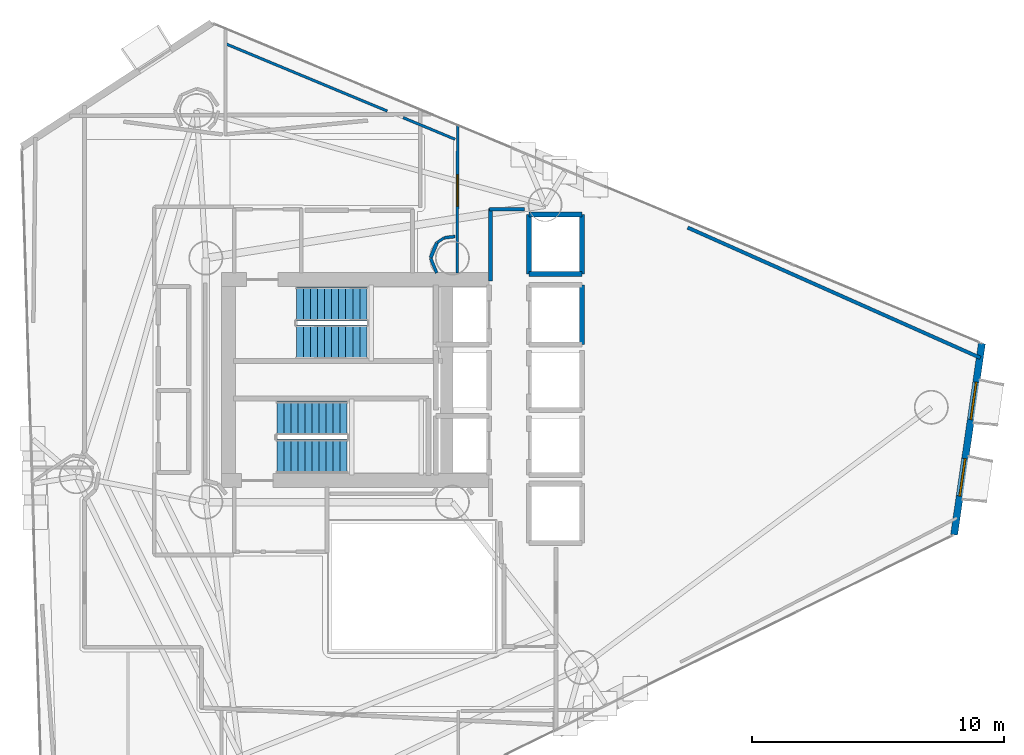
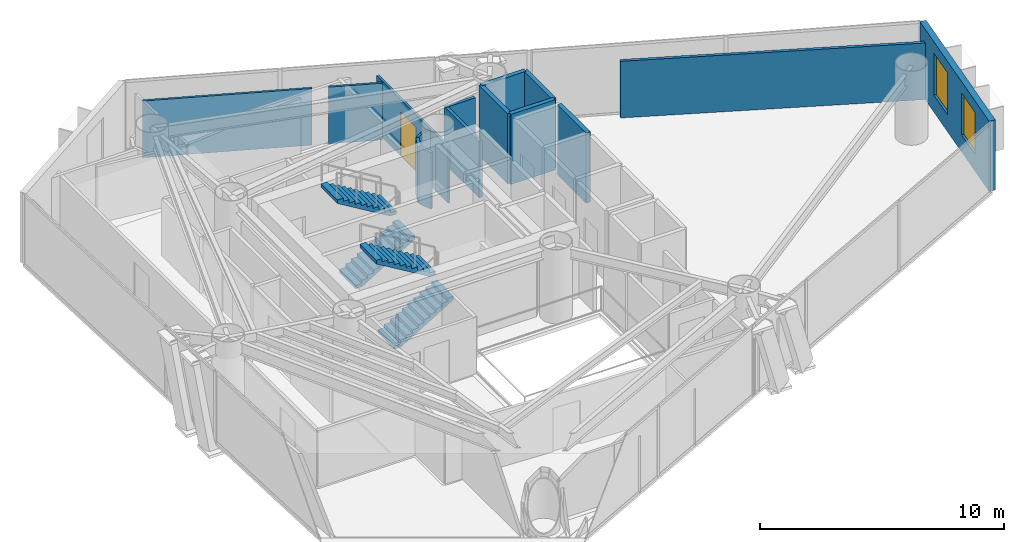
# One storey, part 20 of 22: 16 walls, 4 stair flights, 2 windows, 1 door, 3 openings, 2 elements without a shape of their own.
"""IFC4 building model written with IfcOpenShell, lengths in metres."""

from ifc_helpers import new_model, si_unit, direction, frame, frame_2d, origin, place, context, subcontext, project, spatial, polyline, rectangle, outline, extrude, material, layer, layer_set, type_object, element, fill, aggregate, save


model = new_model("IFC4")

# Units and contexts
model_context = context("Model", 3, precision=1e-05, world=origin(), true_north=direction((0.0, 1.0)))
body_context = subcontext(model_context, "Body", "Model", "MODEL_VIEW")
ifc_project = project(units=[si_unit("LENGTHUNIT", "METRE"), si_unit("AREAUNIT", "SQUARE_METRE"), si_unit("VOLUMEUNIT", "CUBIC_METRE"), si_unit("PLANEANGLEUNIT", "RADIAN"), si_unit("MASSUNIT", "GRAM", prefix="KILO")], contexts=[model_context])

# Site, building, storey
site_placement = place(None, origin())
site = spatial("IfcSite", under=ifc_project, at=site_placement, CompositionType="ELEMENT")
building_placement = place(site_placement, origin())
building = spatial("IfcBuilding", under=site, at=building_placement, Name="Qianvela Tower", CompositionType="ELEMENT")
storey_placement = place(building_placement, frame((0.0, 0.0, 158.699951171875)))
storey = spatial("IfcBuildingStorey", under=building, at=storey_placement, Name="L40", CompositionType="ELEMENT", Elevation=158.699951171875)

# Wall, openings, windows
ifc_material_1 = material(Name="Terracotta Cladding on Concrete C40", Category="masonry")
ifc_layer_1 = layer(ifc_material_1, 0.280029296875)
ifc_layer_set_1 = layer_set([ifc_layer_1], Name="Terracotta Cladding on Concrete C40")
wall_type_1 = type_object("IfcWallType", Name="TERRACOTTA-WALL-280", PredefinedType="SOLIDWALL", material=ifc_layer_set_1)
wall_1_placement = place(storey_placement, frame((58.3408203125, 22.55419921875, 0.0), z_axis=(0.0, 0.0, 1.0), x_axis=(0.143708360634, 0.989620082195, 0.0)))
wall_1 = element("IfcWall", 1, at=wall_1_placement, inside=storey, type_object=wall_type_1, Name="L40 Terracotta Chamfer Facet Wall 1", PredefinedType="SOLIDWALL", context=body_context, shape_type="SweptSolid", body=[
    extrude(rectangle(XDim=7.6806640625, YDim=0.280029296875, at=frame_2d((3.84033203125, 0.0))), origin(), (0.0, 0.0, 1.0), 3.52001953125),
])
opening_1_placement = place(wall_1_placement, frame((1.55419921875, 0.0, 0.85009765625)))
opening_1 = element("IfcOpeningElement", 2, at=opening_1_placement, cuts=wall_1, Name="Opening W-02", PredefinedType="OPENING", context=body_context, shape_type="SweptSolid", body=[
    extrude(rectangle(XDim=1.5, YDim=2.10009765625, at=frame_2d((0.75, 1.050048828125))), frame((0.0, 0.14990234375, 0.0), z_axis=(0.0, -1.0, 0.0), x_axis=(1.0, 0.0, 0.0)), (0.0, 0.0, 1.0), 0.300048828125),
])
opening_2_placement = place(wall_1_placement, frame((4.626220703125, 0.0, 0.85009765625)))
opening_2 = element("IfcOpeningElement", 3, at=opening_2_placement, cuts=wall_1, Name="Opening W-02", PredefinedType="OPENING", context=body_context, shape_type="SweptSolid", body=[
    extrude(rectangle(XDim=1.5, YDim=2.10009765625, at=frame_2d((0.75, 1.050048828125))), frame((0.0, 0.14990234375, 0.0), z_axis=(0.0, -1.0, 0.0), x_axis=(1.0, 0.0, 0.0)), (0.0, 0.0, 1.0), 0.300048828125),
])
ifc_material_2 = material(Name="Thermally Broken Aluminium and Low-E Glass", Category="aluminium")
window_type = type_object("IfcWindowType", Name="WIN-TC-1500x2100", PartitioningType="DOUBLE_PANEL_VERTICAL", PredefinedType="WINDOW", material=ifc_material_2)
window_1_placement = place(opening_1_placement, origin())
window_1 = element("IfcWindow", 4, at=window_1_placement, inside=storey, type_object=window_type, Name="L40 Chamfer Facet Window 1.1", OverallHeight=2.10009765625, OverallWidth=1.5, PartitioningType="SINGLE_PANEL", PredefinedType="WINDOW", context=body_context, shape_type="SweptSolid", body=[
    extrude(rectangle(XDim=1.5, YDim=2.10009765625, at=frame_2d((0.75, 1.050048828125))), frame((0.0, 0.030029296875, 0.0), z_axis=(0.0, -1.0, 0.0), x_axis=(1.0, 0.0, 0.0)), (0.0, 0.0, 1.0), 0.06005859375),
])
fill(opening_1, window_1)
window_2_placement = place(opening_2_placement, origin())
window_2 = element("IfcWindow", 5, at=window_2_placement, inside=storey, type_object=window_type, Name="L40 Chamfer Facet Window 1.2", OverallHeight=2.10009765625, OverallWidth=1.5, PartitioningType="SINGLE_PANEL", PredefinedType="WINDOW", context=body_context, shape_type="SweptSolid", body=[
    extrude(rectangle(XDim=1.5, YDim=2.10009765625, at=frame_2d((0.75, 1.050048828125))), frame((0.0, 0.030029296875, 0.0), z_axis=(0.0, -1.0, 0.0), x_axis=(1.0, 0.0, 0.0)), (0.0, 0.0, 1.0), 0.06005859375),
])
fill(opening_2, window_2)

# Walls
ifc_material_3 = material(Name="Fire-Rated Acoustic Gypsum Board")
ifc_layer_2 = layer(ifc_material_3, 0.14990234375)
ifc_layer_set_2 = layer_set([ifc_layer_2], Name="Fire-Rated Acoustic Gypsum Board")
wall_type_2 = type_object("IfcWallType", Name="WT-CORR-150", PredefinedType="PARTITIONING", material=ifc_layer_set_2)
wall_2_placement = place(storey_placement, frame((39.910888671875, 32.639892578125, 0.0), z_axis=(0.0, 0.0, 1.0), x_axis=(0.0, 1.0, 0.0)))
element("IfcWall", 6, at=wall_2_placement, inside=storey, type_object=wall_type_2, Name="L40 Partition 12", PredefinedType="PARTITIONING", context=body_context, shape_type="SweptSolid", body=[
    extrude(rectangle(XDim=2.880126953125, YDim=0.14990234375, at=frame_2d((1.43994140625, 0.0))), origin(), (0.0, 0.0, 1.0), 2.840087890625),
])
wall_3_placement = place(storey_placement, frame((39.8798828125, 35.489013671875, 0.0), z_axis=(0.0, 0.0, 1.0), x_axis=(1.0, 0.0, 0.0)))
element("IfcWall", 7, at=wall_3_placement, inside=storey, type_object=wall_type_2, Name="L40 Partition 13", PredefinedType="PARTITIONING", context=body_context, shape_type="SweptSolid", body=[
    extrude(rectangle(XDim=1.3828125, YDim=0.14990234375, at=frame_2d((0.69140625, 0.0))), origin(), (0.0, 0.0, 1.0), 2.840087890625),
])

# Wall, opening, door
ifc_material_4 = material(Name="Lightweight Gypsum Room Partition")
ifc_layer_3 = layer(ifc_material_4, 0.10498046875)
ifc_layer_set_3 = layer_set([ifc_layer_3], Name="Lightweight Gypsum Room Partition")
wall_type_3 = type_object("IfcWallType", Name="WT-PART-105", PredefinedType="PARTITIONING", material=ifc_layer_set_3)
wall_4_placement = place(storey_placement, frame((38.59375, 32.9580078125, 0.0), z_axis=(0.0, 0.0, 1.0), x_axis=(0.002446602671, 0.999997007063, 0.0)))
wall_4 = element("IfcWall", 8, at=wall_4_placement, inside=storey, type_object=wall_type_3, Name="L40 Partition 94", PredefinedType="PARTITIONING", context=body_context, shape_type="SweptSolid", body=[
    extrude(rectangle(XDim=5.887451171875, YDim=0.10498046875, at=frame_2d((2.94384765625, 0.0))), origin(), (0.0, 0.0, 1.0), 2.840087890625),
])
opening_3_placement = place(wall_4_placement, frame((2.65478515625, 0.0, 0.0)))
opening_3 = element("IfcOpeningElement", 9, at=opening_3_placement, cuts=wall_4, Name="Opening D-LG1", PredefinedType="OPENING", context=body_context, shape_type="SweptSolid", body=[
    extrude(rectangle(XDim=1.25, YDim=2.199951171875, at=frame_2d((0.625, 1.10009765625))), frame((0.0, 0.0625, 0.0), z_axis=(0.0, -1.0, 0.0), x_axis=(1.0, 0.0, 0.0)), (0.0, 0.0, 1.0), 0.125),
])
ifc_material_5 = material(Name="Anodised Aluminium Acoustic Glass Door", Category="aluminium")
door_type = type_object("IfcDoorType", Name="DT-LOUNGE-1250", OperationType="NOTDEFINED", PredefinedType="DOOR", material=ifc_material_5)
door_placement = place(opening_3_placement, origin())
door = element("IfcDoor", 10, at=door_placement, inside=storey, type_object=door_type, Name="L40 Door Quiet Reading Study L40-04 to Media Practice Cinema L40-03", OperationType="SINGLE_SWING_LEFT", OverallHeight=2.199951171875, OverallWidth=1.25, PredefinedType="DOOR", context=body_context, shape_type="SweptSolid", body=[
    extrude(rectangle(XDim=1.25, YDim=2.199951171875, at=frame_2d((0.625, 1.10009765625))), frame((0.0, 0.02490234375, 0.0), z_axis=(0.0, -1.0, 0.0), x_axis=(1.0, 0.0, 0.0)), (0.0, 0.0, 1.0), 0.050048828125),
])
fill(opening_3, door)

# Walls
wall_5_placement = place(storey_placement, frame((29.330078125, 42.08935546875, 0.0), z_axis=(0.0, 0.0, 1.0), x_axis=(0.923257907731, -0.384180733265, 0.0)))
element("IfcWall", 11, at=wall_5_placement, inside=storey, type_object=wall_type_3, Name="L40 Partition 112", PredefinedType="PARTITIONING", context=body_context, shape_type="SweptSolid", body=[
    extrude(rectangle(XDim=7.020263671875, YDim=0.10498046875, at=frame_2d((3.51025390625, 0.0))), origin(), (0.0, 0.0, 1.0), 2.840087890625),
])
wall_6_placement = place(storey_placement, frame((38.063232421875, 34.34716796875, 0.0), z_axis=(0.0, 0.0, 1.0), x_axis=(-0.83170430964, -0.555218822922, 0.0)))
element("IfcWall", 12, at=wall_6_placement, inside=storey, type_object=wall_type_3, Name="L40 Partition 115", PredefinedType="PARTITIONING", context=body_context, shape_type="SweptSolid", body=[
    extrude(rectangle(XDim=0.325927734375, YDim=0.10498046875, at=frame_2d((0.1630859375, 0.0))), origin(), (0.0, 0.0, 1.0), 2.840087890625),
])
wall_7_placement = place(storey_placement, frame((36.44140625, 39.13037109375, 0.0), z_axis=(0.0, 0.0, 1.0), x_axis=(0.923215709741, -0.384282127202, 0.0)))
element("IfcWall", 13, at=wall_7_placement, inside=storey, type_object=wall_type_3, Name="L40 Partition 112 trim 1", PredefinedType="PARTITIONING", context=body_context, shape_type="SweptSolid", body=[
    extrude(rectangle(XDim=2.237060546875, YDim=0.10498046875, at=frame_2d((1.11865234375, 0.0))), origin(), (0.0, 0.0, 1.0), 2.840087890625),
])
ifc_material_6 = material(Name="Insulated Gypsum Stud Partition")
ifc_layer_4 = layer(ifc_material_6, 0.1201171875)
ifc_layer_set_4 = layer_set([ifc_layer_4], Name="Insulated Gypsum Stud Partition")
wall_type_4 = type_object("IfcWallType", Name="WT-PART-120", PredefinedType="PARTITIONING", material=ifc_layer_set_4)
wall_8_placement = place(storey_placement, frame((38.501953125, 34.405517578125, 0.0), z_axis=(0.0, 0.0, 1.0), x_axis=(-0.992260340351, -0.124174945004, 0.0)))
element("IfcWall", 14, at=wall_8_placement, inside=storey, type_object=wall_type_4, Name="L40 Partition 114", PredefinedType="PARTITIONING", context=body_context, shape_type="SweptSolid", body=[
    extrude(rectangle(XDim=0.4287109375, YDim=0.1201171875, at=frame_2d((0.21435546875, 0.0))), origin(), (0.0, 0.0, 1.0), 2.840087890625),
])
wall_9_placement = place(storey_placement, frame((37.536376953125, 33.5380859375, 0.0), z_axis=(0.0, 0.0, 1.0), x_axis=(0.382626535499, -0.923903097912, 0.0)))
element("IfcWall", 15, at=wall_9_placement, inside=storey, type_object=wall_type_4, Name="L40 Partition 117", PredefinedType="PARTITIONING", context=body_context, shape_type="SweptSolid", body=[
    extrude(rectangle(XDim=0.6279296875, YDim=0.1201171875, at=frame_2d((0.31396484375, 0.0))), origin(), (0.0, 0.0, 1.0), 2.840087890625),
])
ifc_material_7 = material(Name="Acoustic Double Gypsum Stud Partition")
ifc_layer_5 = layer(ifc_material_7, 0.139892578125)
ifc_layer_set_5 = layer_set([ifc_layer_5], Name="Acoustic Double Gypsum Stud Partition")
wall_type_5 = type_object("IfcWallType", Name="WT-ROOM-140", PredefinedType="PARTITIONING", material=ifc_layer_set_5)
wall_10_placement = place(storey_placement, frame((47.751220703125, 34.760986328125, 0.0), z_axis=(0.0, 0.0, 1.0), x_axis=(0.913597890449, -0.40661885663, 0.0)))
element("IfcWall", 16, at=wall_10_placement, inside=storey, type_object=wall_type_5, Name="L40 Partition 95 seg 2", PredefinedType="PARTITIONING", context=body_context, shape_type="SweptSolid", body=[
    extrude(rectangle(XDim=12.72998046875, YDim=0.139892578125, at=frame_2d((6.364990234375, 0.0))), origin(), (0.0, 0.0, 1.0), 2.840087890625),
])
wall_11_placement = place(storey_placement, frame((37.781005859375, 34.15234375, 0.0), z_axis=(0.0, 0.0, 1.0), x_axis=(-0.382824178437, -0.923821221018, 0.0)))
element("IfcWall", 17, at=wall_11_placement, inside=storey, type_object=wall_type_5, Name="L40 Partition 116", PredefinedType="PARTITIONING", context=body_context, shape_type="SweptSolid", body=[
    extrude(rectangle(XDim=0.638916015625, YDim=0.139892578125, at=frame_2d((0.3193359375, 0.0))), origin(), (0.0, 0.0, 1.0), 2.840087890625),
])
ifc_material_8 = material(Name="Concrete C50", Category="concrete")
ifc_layer_6 = layer(ifc_material_8, 0.199951171875)
ifc_layer_set_6 = layer_set([ifc_layer_6], Name="Concrete C50")
wall_type_6 = type_object("IfcWallType", Name="WT-SHAFT-200", PredefinedType="SOLIDWALL", material=ifc_layer_set_6)
wall_12_placement = place(storey_placement, frame((43.550048828125, 30.1201171875, 0.0), z_axis=(0.0, 0.0, 1.0), x_axis=(0.0, 1.0, 0.0)))
element("IfcWall", 18, at=wall_12_placement, inside=storey, type_object=wall_type_6, Name="L40 Lift PL-M1 E Shaft Wall", PredefinedType="SOLIDWALL", context=body_context, shape_type="SweptSolid", body=[
    extrude(rectangle(XDim=2.35986328125, YDim=0.199951171875, at=frame_2d((1.179931640625, 0.0))), origin(), (0.0, 0.0, 1.0), 3.52001953125),
])
for number, where, z_axis, x_axis, name in (
    (19, (43.550048828125, 32.919921875, 0.0), (0.0, 0.0, 1.0), (0.0, 1.0, 0.0), "L40 Lift PL-H3 E Shaft Wall"),
    (20, (41.449951171875, 32.919921875, 0.0), (0.0, 0.0, 1.0), (0.0, 1.0, 0.0), "L40 Lift PL-H3 W Shaft Wall"),
):
    element("IfcWall", number, at=place(storey_placement, frame(where, z_axis=z_axis, x_axis=x_axis)), inside=storey, type_object=wall_type_6, Name=name, PredefinedType="SOLIDWALL", context=body_context, shape_type="SweptSolid", body=[
        extrude(rectangle(XDim=2.360107421875, YDim=0.199951171875, at=frame_2d((1.18017578125, 0.0))), origin(), (0.0, 0.0, 1.0), 3.52001953125),
    ])
for number, where, z_axis, x_axis, name in (
    (21, (41.449951171875, 35.280029296875, 0.0), (0.0, 0.0, 1.0), (1.0, 0.0, 0.0), "L40 Lift PL-H3 N Shaft Wall"),
    (22, (41.449951171875, 32.919921875, 0.0), (0.0, 0.0, 1.0), (1.0, 0.0, 0.0), "L40 Lift PL-H3 S Shaft Wall"),
):
    element("IfcWall", number, at=place(storey_placement, frame(where, z_axis=z_axis, x_axis=x_axis)), inside=storey, type_object=wall_type_6, Name=name, PredefinedType="SOLIDWALL", context=body_context, shape_type="SweptSolid", body=[
        extrude(rectangle(XDim=2.10009765625, YDim=0.199951171875, at=frame_2d((1.050048828125, 0.0))), origin(), (0.0, 0.0, 1.0), 3.52001953125),
    ])

# Stair, stair flights
ifc_material_9 = material(Name="Concrete C40", Category="concrete")
stair_type = type_object("IfcStairType", Name="ST-DOGLEG-1350-R168-N22", PredefinedType="HALF_TURN_STAIR", material=ifc_material_9)
stair_1_placement = place(storey_placement, origin())
stair_1 = element("IfcStair", 23, at=stair_1_placement, inside=storey, type_object=stair_type, Name="L40 Smoke-Proof Core Stair ST-1", PredefinedType="HALF_TURN_STAIR")
ifc_material_10 = material(Name="Concrete C40", Category="concrete")
stair_flight_type = type_object("IfcStairFlightType", Name="STF-STRAIGHT-R168-P11", PredefinedType="STRAIGHT", material=ifc_material_10)
stair_flight_1_placement = place(storey_placement, frame((32.199951171875, 30.215087890625, 0.0), z_axis=(0.0, 0.0, 1.0), x_axis=(1.0, 0.0, 0.0)))
stair_flight_1 = element("IfcStairFlight", 24, at=stair_flight_1_placement, type_object=stair_flight_type, Name="ST-1 flight 1", NumberOfRisers=11, NumberOfTreads=10, PredefinedType="STRAIGHT", RiserHeight=0.168181818, TreadLength=0.28, context=body_context, shape_type="SweptSolid", body=[
    extrude(outline(polyline([(0.0, 0.0), (0.0, 0.168212890625), (0.280029296875, 0.168212890625), (0.280029296875, 0.33642578125), (0.56005859375, 0.33642578125), (0.56005859375, 0.504638671875), (0.840087890625, 0.504638671875), (0.840087890625, 0.672607421875), (1.1201171875, 0.672607421875), (1.1201171875, 0.8408203125), (1.39990234375, 0.8408203125), (1.39990234375, 1.009033203125), (1.679931640625, 1.009033203125), (1.679931640625, 1.17724609375), (1.9599609375, 1.17724609375), (1.9599609375, 1.345458984375), (2.239990234375, 1.345458984375), (2.239990234375, 1.513671875), (2.52001953125, 1.513671875), (2.52001953125, 1.681884765625), (2.800048828125, 1.681884765625), (2.800048828125, 1.85009765625), (2.800048828125, 1.5068359375), (0.291015625, 0.0), (0.0, 0.0)])), frame((0.0, 0.675048828125, 0.0), z_axis=(0.0, -1.0, 0.0), x_axis=(1.0, 0.0, 0.0)), (0.0, 0.0, 1.0), 1.35009765625),
])
stair_flight_2_placement = place(storey_placement, frame((35.0, 31.72509765625, 1.85009765625), z_axis=(0.0, 0.0, 1.0), x_axis=(-1.0, 0.0, 0.0)))
stair_flight_2 = element("IfcStairFlight", 25, at=stair_flight_2_placement, type_object=stair_flight_type, Name="ST-1 flight 2", NumberOfRisers=11, NumberOfTreads=10, PredefinedType="STRAIGHT", RiserHeight=0.168181818, TreadLength=0.28, context=body_context, shape_type="SweptSolid", body=[
    extrude(outline(polyline([(0.0, 0.0), (0.0, 0.168212890625), (0.280029296875, 0.168212890625), (0.280029296875, 0.33642578125), (0.56005859375, 0.33642578125), (0.56005859375, 0.504638671875), (0.840087890625, 0.504638671875), (0.840087890625, 0.672607421875), (1.1201171875, 0.672607421875), (1.1201171875, 0.8408203125), (1.39990234375, 0.8408203125), (1.39990234375, 1.009033203125), (1.679931640625, 1.009033203125), (1.679931640625, 1.17724609375), (1.9599609375, 1.17724609375), (1.9599609375, 1.345458984375), (2.239990234375, 1.345458984375), (2.239990234375, 1.513671875), (2.52001953125, 1.513671875), (2.52001953125, 1.681884765625), (2.800048828125, 1.681884765625), (2.800048828125, 1.85009765625), (2.800048828125, 1.5068359375), (0.291015625, 0.0), (0.0, 0.0)])), frame((0.0, 0.675048828125, 0.0), z_axis=(0.0, -1.0, 0.0), x_axis=(1.0, 0.0, 0.0)), (0.0, 0.0, 1.0), 1.35009765625),
])
aggregate(stair_1, [stair_flight_1, stair_flight_2])

stair_2_placement = place(storey_placement, origin())
stair_2 = element("IfcStair", 26, at=stair_2_placement, inside=storey, type_object=stair_type, Name="L40 Smoke-Proof Core Stair ST-2", PredefinedType="HALF_TURN_STAIR")
stair_flight_3_placement = place(storey_placement, frame((31.419921875, 25.675048828125, 0.0), z_axis=(0.0, 0.0, 1.0), x_axis=(1.0, 0.0, 0.0)))
stair_flight_3 = element("IfcStairFlight", 27, at=stair_flight_3_placement, type_object=stair_flight_type, Name="ST-2 flight 1", NumberOfRisers=11, NumberOfTreads=10, PredefinedType="STRAIGHT", RiserHeight=0.168181818, TreadLength=0.28, context=body_context, shape_type="SweptSolid", body=[
    extrude(outline(polyline([(0.0, 0.0), (0.0, 0.168212890625), (0.280029296875, 0.168212890625), (0.280029296875, 0.33642578125), (0.56005859375, 0.33642578125), (0.56005859375, 0.504638671875), (0.840087890625, 0.504638671875), (0.840087890625, 0.672607421875), (1.1201171875, 0.672607421875), (1.1201171875, 0.8408203125), (1.39990234375, 0.8408203125), (1.39990234375, 1.009033203125), (1.679931640625, 1.009033203125), (1.679931640625, 1.17724609375), (1.9599609375, 1.17724609375), (1.9599609375, 1.345458984375), (2.239990234375, 1.345458984375), (2.239990234375, 1.513671875), (2.52001953125, 1.513671875), (2.52001953125, 1.681884765625), (2.800048828125, 1.681884765625), (2.800048828125, 1.85009765625), (2.800048828125, 1.5068359375), (0.291015625, 0.0), (0.0, 0.0)])), frame((0.0, 0.675048828125, 0.0), z_axis=(0.0, -1.0, 0.0), x_axis=(1.0, 0.0, 0.0)), (0.0, 0.0, 1.0), 1.35009765625),
])
stair_flight_4_placement = place(storey_placement, frame((34.219970703125, 27.18505859375, 1.85009765625), z_axis=(0.0, 0.0, 1.0), x_axis=(-1.0, 0.0, 0.0)))
stair_flight_4 = element("IfcStairFlight", 28, at=stair_flight_4_placement, type_object=stair_flight_type, Name="ST-2 flight 2", NumberOfRisers=11, NumberOfTreads=10, PredefinedType="STRAIGHT", RiserHeight=0.168181818, TreadLength=0.28, context=body_context, shape_type="SweptSolid", body=[
    extrude(outline(polyline([(0.0, 0.0), (0.0, 0.168212890625), (0.280029296875, 0.168212890625), (0.280029296875, 0.33642578125), (0.56005859375, 0.33642578125), (0.56005859375, 0.504638671875), (0.840087890625, 0.504638671875), (0.840087890625, 0.672607421875), (1.1201171875, 0.672607421875), (1.1201171875, 0.8408203125), (1.39990234375, 0.8408203125), (1.39990234375, 1.009033203125), (1.679931640625, 1.009033203125), (1.679931640625, 1.17724609375), (1.9599609375, 1.17724609375), (1.9599609375, 1.345458984375), (2.239990234375, 1.345458984375), (2.239990234375, 1.513671875), (2.52001953125, 1.513671875), (2.52001953125, 1.681884765625), (2.800048828125, 1.681884765625), (2.800048828125, 1.85009765625), (2.800048828125, 1.5068359375), (0.291015625, 0.0), (0.0, 0.0)])), frame((0.0, 0.675048828125, 0.0), z_axis=(0.0, -1.0, 0.0), x_axis=(1.0, 0.0, 0.0)), (0.0, 0.0, 1.0), 1.35009765625),
])
aggregate(stair_2, [stair_flight_3, stair_flight_4])

save(model, "model.ifc")
